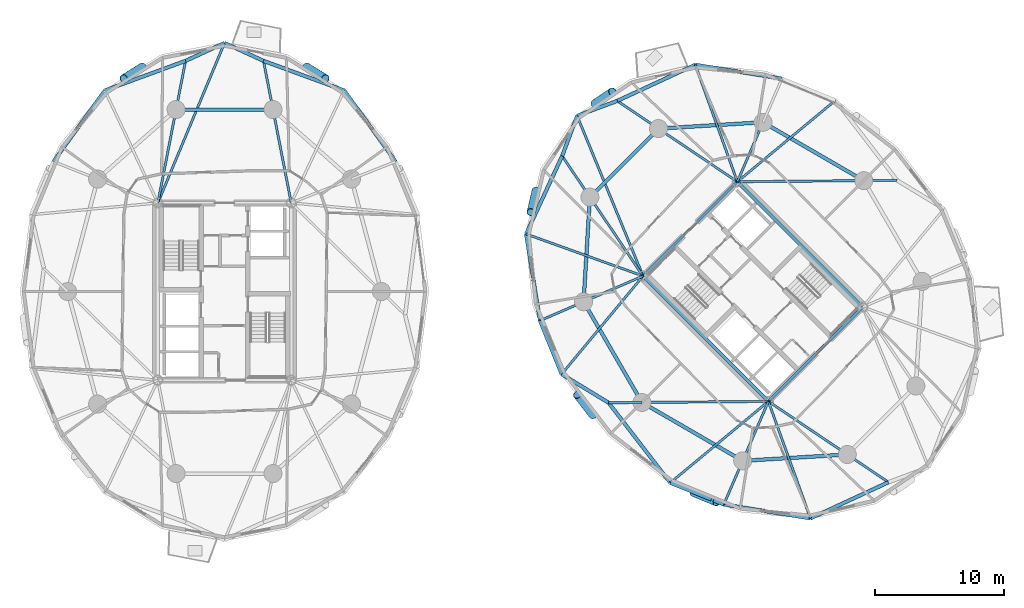
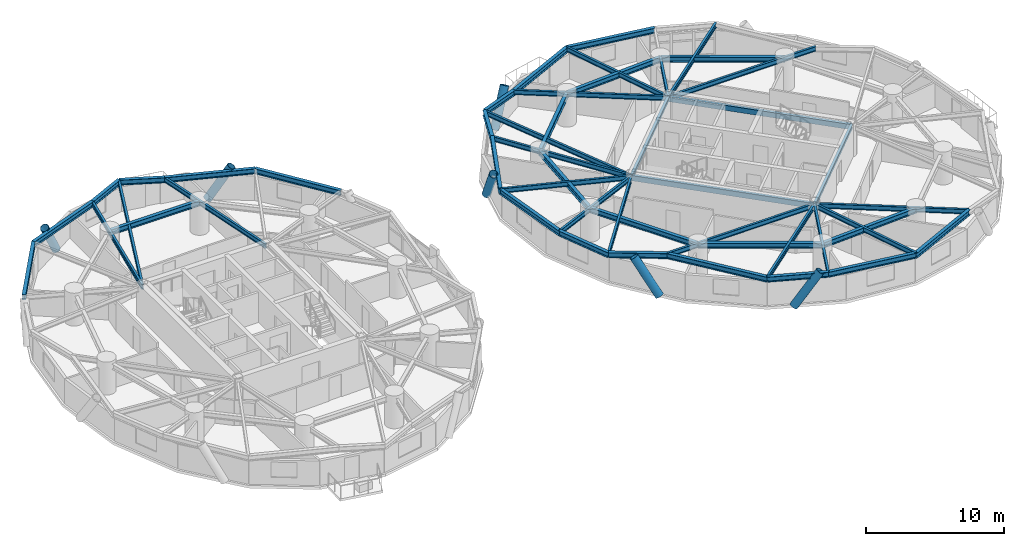
# One storey, part 5 of 17: 49 beams, 6 members.
"""IFC4 building model written with IfcOpenShell, lengths in metres."""

from ifc_helpers import new_model, si_unit, direction, frame, origin, origin_2d, place, context, subcontext, project, spatial, hollow_rectangle, hollow_circle, i_section, extrude, material, material_profile, profile_set, type_object, element, save


model = new_model("IFC4")

# Units and contexts
model_context = context("Model", 3, precision=1e-05, world=origin(), true_north=direction((0.0, 1.0)))
body_context = subcontext(model_context, "Body", "Model", "MODEL_VIEW")
ifc_project = project(units=[si_unit("LENGTHUNIT", "METRE"), si_unit("AREAUNIT", "SQUARE_METRE"), si_unit("VOLUMEUNIT", "CUBIC_METRE"), si_unit("PLANEANGLEUNIT", "RADIAN"), si_unit("MASSUNIT", "GRAM", prefix="KILO")], contexts=[model_context])

# Site, building, storey
site_placement = place(None, origin())
site = spatial("IfcSite", under=ifc_project, at=site_placement, CompositionType="ELEMENT")
building_placement = place(site_placement, origin())
building = spatial("IfcBuilding", under=site, at=building_placement, Name="Cununo Teusaquillo Station Towers", CompositionType="ELEMENT")
storey_placement = place(building_placement, frame((0.0, 0.0, 78.8798828125)))
storey = spatial("IfcBuildingStorey", under=building, at=storey_placement, Name="L24", CompositionType="ELEMENT", Elevation=78.8798828125)

# Beams
ifc_material_1 = material(Name="Steel EN 10025-2 S355J2", Category="steel")
ifc_material_profile_1 = material_profile(ifc_material_1, hollow_rectangle(XDim=0.25, YDim=0.449951171875, WallThickness=0.01611328125, at=origin_2d()), Name="RHS 450x250x16")
ifc_profile_set_1 = profile_set([ifc_material_profile_1], Name="Steel EN 10025-2 S355J2")
beam_type_1 = type_object("IfcBeamType", Name="BM-COUP-1", PredefinedType="USERDEFINED", material=ifc_profile_set_1)
for number, where, z_axis, x_axis, name in (
    (1, (58.70556640625, 15.975830078125, 2.445068359375), (-0.707106781187, 0.707106781187, 0.0), (-0.707106781187, -0.707106781187, 0.0), "L24 Tower B Core Beam 1"),
    (2, (66.024169921875, 23.29443359375, 2.445068359375), (-0.707106781187, 0.707106781187, 0.0), (-0.707106781187, -0.707106781187, 0.0), "L24 Tower B Core Beam 2"),
):
    element("IfcBeam", number, at=place(storey_placement, frame(where, z_axis=z_axis, x_axis=x_axis)), inside=storey, type_object=beam_type_1, Name=name, ObjectType="COUPLING BEAM", PredefinedType="USERDEFINED", context=body_context, shape_type="SweptSolid", body=[
        extrude(hollow_rectangle(XDim=0.25, YDim=0.449951171875, WallThickness=0.01611328125, at=origin_2d()), origin(), (0.0, 0.0, 1.0), 13.760009765625),
    ])
ifc_material_2 = material(Name="Steel ASTM A572 Grade 50", Category="steel")
ifc_material_profile_2 = material_profile(ifc_material_2, i_section(OverallWidth=0.180908203125, OverallDepth=0.4169921875, WebThickness=0.010986328125, FlangeThickness=0.018310546875, FilletRadius=0.012939453125, at=origin_2d()), Name="W16X57")
ifc_profile_set_2 = profile_set([ifc_material_profile_2], Name="Steel ASTM A572 Grade 50")
beam_type_2 = type_object("IfcBeamType", Name="BM-JOIST-1", PredefinedType="JOIST", material=ifc_profile_set_2)
beam_1_placement = place(storey_placement, frame((11.324951171875, 31.3798828125, 2.461669921875), z_axis=(0.38487837995, 0.922967297713, 0.0), x_axis=(-0.922967297713, 0.38487837995, 0.0)))
element("IfcBeam", 3, at=beam_1_placement, inside=storey, type_object=beam_type_2, Name="L24 Tower A Radial Spandrel Joist V05", PredefinedType="JOIST", context=body_context, shape_type="SweptSolid", body=[
    extrude(i_section(OverallWidth=0.180908203125, OverallDepth=0.4169921875, WebThickness=0.010986328125, FlangeThickness=0.018310546875, FilletRadius=0.012939453125, at=origin_2d()), origin(), (0.0, 0.0, 1.0), 13.446044921875),
])
beam_2_placement = place(storey_placement, frame((56.29443359375, 33.024169921875, 2.461669921875), z_axis=(0.769727799615, 0.638372238196, 0.0), x_axis=(-0.638372238196, 0.769727799615, 0.0)))
element("IfcBeam", 4, at=beam_2_placement, inside=storey, type_object=beam_type_2, Name="L24 Tower B Radial Spandrel Joist V01", PredefinedType="JOIST", context=body_context, shape_type="SweptSolid", body=[
    extrude(i_section(OverallWidth=0.180908203125, OverallDepth=0.4169921875, WebThickness=0.010986328125, FlangeThickness=0.018310546875, FilletRadius=0.012939453125, at=origin_2d()), origin(), (0.0, 0.0, 1.0), 9.895263671875),
])
beam_3_placement = place(storey_placement, frame((56.29443359375, 33.024169921875, 2.461669921875), z_axis=(-0.338176312038, 0.941082771055, 0.0), x_axis=(-0.941082771055, -0.338176312038, 0.0)))
element("IfcBeam", 5, at=beam_3_placement, inside=storey, type_object=beam_type_2, Name="L24 Tower B Radial Spandrel Joist V03", PredefinedType="JOIST", context=body_context, shape_type="SweptSolid", body=[
    extrude(i_section(OverallWidth=0.180908203125, OverallDepth=0.4169921875, WebThickness=0.010986328125, FlangeThickness=0.018310546875, FilletRadius=0.012939453125, at=origin_2d()), origin(), (0.0, 0.0, 1.0), 9.646484375),
])
beam_4_placement = place(storey_placement, frame((48.975830078125, 25.70556640625, 2.461669921875), z_axis=(-0.380485864505, 0.924786735908, 0.0), x_axis=(-0.924786735908, -0.380485864505, 0.0)))
element("IfcBeam", 6, at=beam_4_placement, inside=storey, type_object=beam_type_2, Name="L24 Tower B Radial Spandrel Joist V05", PredefinedType="JOIST", context=body_context, shape_type="SweptSolid", body=[
    extrude(i_section(OverallWidth=0.180908203125, OverallDepth=0.4169921875, WebThickness=0.010986328125, FlangeThickness=0.018310546875, FilletRadius=0.012939453125, at=origin_2d()), origin(), (0.0, 0.0, 1.0), 13.44580078125),
])
beam_5_placement = place(storey_placement, frame((48.975830078125, 25.70556640625, 2.461669921875), z_axis=(-0.941082771055, 0.338176312038, 0.0), x_axis=(-0.338176312038, -0.941082771055, 0.0)))
element("IfcBeam", 7, at=beam_5_placement, inside=storey, type_object=beam_type_2, Name="L24 Tower B Radial Spandrel Joist V07", PredefinedType="JOIST", context=body_context, shape_type="SweptSolid", body=[
    extrude(i_section(OverallWidth=0.180908203125, OverallDepth=0.4169921875, WebThickness=0.010986328125, FlangeThickness=0.018310546875, FilletRadius=0.012939453125, at=origin_2d()), origin(), (0.0, 0.0, 1.0), 9.646484375),
])
for number, where, z_axis, x_axis, name in (
    (8, (48.975830078125, 25.70556640625, 2.461669921875), (-0.638372238196, -0.769727799615, 0.0), (0.769727799615, -0.638372238196, 0.0), "L24 Tower B Radial Spandrel Joist V09"),
    (9, (58.70556640625, 15.975830078125, 2.461669921875), (-0.769727799615, -0.638372238196, 0.0), (0.638372238196, -0.769727799615, 0.0), "L24 Tower B Radial Spandrel Joist V11"),
):
    element("IfcBeam", number, at=place(storey_placement, frame(where, z_axis=z_axis, x_axis=x_axis)), inside=storey, type_object=beam_type_2, Name=name, PredefinedType="JOIST", context=body_context, shape_type="SweptSolid", body=[
        extrude(i_section(OverallWidth=0.180908203125, OverallDepth=0.4169921875, WebThickness=0.010986328125, FlangeThickness=0.018310546875, FilletRadius=0.012939453125, at=origin_2d()), origin(), (0.0, 0.0, 1.0), 9.895263671875),
    ])
beam_6_placement = place(storey_placement, frame((58.70556640625, 15.975830078125, 2.461669921875), z_axis=(0.338176312038, -0.941082771055, 0.0), x_axis=(0.941082771055, 0.338176312038, 0.0)))
element("IfcBeam", 10, at=beam_6_placement, inside=storey, type_object=beam_type_2, Name="L24 Tower B Radial Spandrel Joist V13", PredefinedType="JOIST", context=body_context, shape_type="SweptSolid", body=[
    extrude(i_section(OverallWidth=0.180908203125, OverallDepth=0.4169921875, WebThickness=0.010986328125, FlangeThickness=0.018310546875, FilletRadius=0.012939453125, at=origin_2d()), origin(), (0.0, 0.0, 1.0), 9.646484375),
])
ifc_material_3 = material(Name="Steel ASTM A572 Grade 50", Category="steel")
ifc_material_profile_3 = material_profile(ifc_material_3, i_section(OverallWidth=0.2041015625, OverallDepth=0.35009765625, WebThickness=0.008544921875, FlangeThickness=0.01513671875, FilletRadius=0.011962890625, at=origin_2d()), Name="W14X48")
ifc_profile_set_3 = profile_set([ifc_material_profile_3], Name="Steel ASTM A572 Grade 50")
beam_type_3 = type_object("IfcBeamType", Name="BM-LINTEL-1", PredefinedType="LINTEL", material=ifc_profile_set_3)
for number, where, z_axis, x_axis, name in (
    (11, (58.70556640625, 15.975830078125, 2.4951171875), (0.707106781187, 0.707106781187, 0.0), (-0.707106781187, 0.707106781187, 0.0), "L24 Tower B Core Beam 3"),
    (12, (48.975830078125, 25.70556640625, 2.4951171875), (0.707106781187, 0.707106781187, 0.0), (-0.707106781187, 0.707106781187, 0.0), "L24 Tower B Core Beam 4"),
):
    element("IfcBeam", number, at=place(storey_placement, frame(where, z_axis=z_axis, x_axis=x_axis)), inside=storey, type_object=beam_type_3, Name=name, PredefinedType="LINTEL", context=body_context, shape_type="SweptSolid", body=[
        extrude(i_section(OverallWidth=0.2041015625, OverallDepth=0.35009765625, WebThickness=0.008544921875, FlangeThickness=0.01513671875, FilletRadius=0.011962890625, at=origin_2d()), origin(), (0.0, 0.0, 1.0), 10.35009765625),
    ])
ifc_material_4 = material(Name="Steel ASTM A572 Grade 50", Category="steel")
ifc_material_profile_4 = material_profile(ifc_material_4, i_section(OverallWidth=0.180908203125, OverallDepth=0.4169921875, WebThickness=0.010986328125, FlangeThickness=0.018310546875, FilletRadius=0.012939453125, at=origin_2d()), Name="W16X57")
ifc_profile_set_4 = profile_set([ifc_material_profile_4], Name="Steel ASTM A572 Grade 50")
beam_type_4 = type_object("IfcBeamType", Name="BM-RAD-G2", PredefinedType="BEAM", material=ifc_profile_set_4)
for number, where, z_axis, x_axis, name in (
    (13, (21.675048828125, 31.3798828125, 2.461669921875), (-0.191552755713, 0.981482318628, 0.0), (-0.981482318628, -0.191552755713, 0.0), "L24 Tower A Continuous Overhanging Radial Girder 03"),
    (14, (11.324951171875, 31.3798828125, 2.461669921875), (0.191552755713, 0.981482318628, 0.0), (-0.981482318628, 0.191552755713, 0.0), "L24 Tower A Continuous Overhanging Radial Girder 04"),
):
    element("IfcBeam", number, at=place(storey_placement, frame(where, z_axis=z_axis, x_axis=x_axis)), inside=storey, type_object=beam_type_4, Name=name, PredefinedType="BEAM", context=body_context, shape_type="SweptSolid", body=[
        extrude(i_section(OverallWidth=0.180908203125, OverallDepth=0.4169921875, WebThickness=0.010986328125, FlangeThickness=0.018310546875, FilletRadius=0.012939453125, at=origin_2d()), origin(), (0.0, 0.0, 1.0), 11.22998046875),
    ])
beam_7_placement = place(storey_placement, frame((56.29443359375, 33.024169921875, 2.461669921875), z_axis=(0.999964331255, 0.008446077024, 0.0), x_axis=(-0.008446077024, 0.999964331255, 0.0)))
element("IfcBeam", 15, at=beam_7_placement, inside=storey, type_object=beam_type_4, Name="L24 Tower B Continuous Overhanging Radial Girder 01", PredefinedType="BEAM", context=body_context, shape_type="SweptSolid", body=[
    extrude(i_section(OverallWidth=0.180908203125, OverallDepth=0.4169921875, WebThickness=0.010986328125, FlangeThickness=0.018310546875, FilletRadius=0.012939453125, at=origin_2d()), origin(), (0.0, 0.0, 1.0), 12.400634765625),
])
beam_8_placement = place(storey_placement, frame((56.29443359375, 33.024169921875, 2.461669921875), z_axis=(0.397346986387, 0.917668443616, 0.0), x_axis=(-0.917668443616, 0.397346986387, 0.0)))
element("IfcBeam", 16, at=beam_8_placement, inside=storey, type_object=beam_type_4, Name="L24 Tower B Radial Girder 02A", PredefinedType="BEAM", context=body_context, shape_type="SweptSolid", body=[
    extrude(i_section(OverallWidth=0.180908203125, OverallDepth=0.4169921875, WebThickness=0.010986328125, FlangeThickness=0.018310546875, FilletRadius=0.012939453125, at=origin_2d()), origin(), (0.0, 0.0, 1.0), 5.02490234375),
])
for number, where, z_axis, x_axis, name in (
    (17, (56.29443359375, 33.024169921875, 2.461669921875), (-0.82945583878, 0.558572297481, 0.0), (-0.558572297481, -0.82945583878, 0.0), "L24 Tower B Continuous Overhanging Radial Girder 03"),
    (18, (48.975830078125, 25.70556640625, 2.461669921875), (-0.558572297481, 0.82945583878, 0.0), (-0.82945583878, -0.558572297481, 0.0), "L24 Tower B Continuous Overhanging Radial Girder 04"),
):
    element("IfcBeam", number, at=place(storey_placement, frame(where, z_axis=z_axis, x_axis=x_axis)), inside=storey, type_object=beam_type_4, Name=name, PredefinedType="BEAM", context=body_context, shape_type="SweptSolid", body=[
        extrude(i_section(OverallWidth=0.180908203125, OverallDepth=0.4169921875, WebThickness=0.010986328125, FlangeThickness=0.018310546875, FilletRadius=0.012939453125, at=origin_2d()), origin(), (0.0, 0.0, 1.0), 11.22998046875),
    ])
beam_9_placement = place(storey_placement, frame((48.975830078125, 25.70556640625, 2.461669921875), z_axis=(-0.917654733344, -0.397378648609, 0.0), x_axis=(0.397378648609, -0.917654733344, 0.0)))
element("IfcBeam", 19, at=beam_9_placement, inside=storey, type_object=beam_type_4, Name="L24 Tower B Continuous Overhanging Radial Girder 05", PredefinedType="BEAM", context=body_context, shape_type="SweptSolid", body=[
    extrude(i_section(OverallWidth=0.180908203125, OverallDepth=0.4169921875, WebThickness=0.010986328125, FlangeThickness=0.018310546875, FilletRadius=0.012939453125, at=origin_2d()), origin(), (0.0, 0.0, 1.0), 8.71484375),
])
beam_10_placement = place(storey_placement, frame((58.70556640625, 15.975830078125, 2.461669921875), z_axis=(-0.999964431382, -0.008434214327, 0.0), x_axis=(0.008434214327, -0.999964431382, 0.0)))
element("IfcBeam", 20, at=beam_10_placement, inside=storey, type_object=beam_type_4, Name="L24 Tower B Radial Girder 06A", PredefinedType="BEAM", context=body_context, shape_type="SweptSolid", body=[
    extrude(i_section(OverallWidth=0.180908203125, OverallDepth=0.4169921875, WebThickness=0.010986328125, FlangeThickness=0.018310546875, FilletRadius=0.012939453125, at=origin_2d()), origin(), (0.0, 0.0, 1.0), 9.812744140625),
])
beam_11_placement = place(storey_placement, frame((48.89306640625, 15.89306640625, 2.461669921875), z_axis=(-0.999963950292, -0.008491060999, 0.0), x_axis=(0.008491060999, -0.999963950292, 0.0)))
element("IfcBeam", 21, at=beam_11_placement, inside=storey, type_object=beam_type_4, Name="L24 Tower B Perimeter Overhang Girder 06B", PredefinedType="BEAM", context=body_context, shape_type="SweptSolid", body=[
    extrude(i_section(OverallWidth=0.180908203125, OverallDepth=0.4169921875, WebThickness=0.010986328125, FlangeThickness=0.018310546875, FilletRadius=0.012939453125, at=origin_2d()), origin(), (0.0, 0.0, 1.0), 2.587646484375),
])
beam_12_placement = place(storey_placement, frame((58.70556640625, 15.975830078125, 2.461669921875), z_axis=(-0.397378648609, -0.917654733344, 0.0), x_axis=(0.917654733344, -0.397378648609, 0.0)))
element("IfcBeam", 22, at=beam_12_placement, inside=storey, type_object=beam_type_4, Name="L24 Tower B Continuous Overhanging Radial Girder 07", PredefinedType="BEAM", context=body_context, shape_type="SweptSolid", body=[
    extrude(i_section(OverallWidth=0.180908203125, OverallDepth=0.4169921875, WebThickness=0.010986328125, FlangeThickness=0.018310546875, FilletRadius=0.012939453125, at=origin_2d()), origin(), (0.0, 0.0, 1.0), 8.71484375),
])
beam_13_placement = place(storey_placement, frame((58.70556640625, 15.975830078125, 2.461669921875), z_axis=(0.82945583878, -0.558572297481, 0.0), x_axis=(0.558572297481, 0.82945583878, 0.0)))
element("IfcBeam", 23, at=beam_13_placement, inside=storey, type_object=beam_type_4, Name="L24 Tower B Continuous Overhanging Radial Girder 08", PredefinedType="BEAM", context=body_context, shape_type="SweptSolid", body=[
    extrude(i_section(OverallWidth=0.180908203125, OverallDepth=0.4169921875, WebThickness=0.010986328125, FlangeThickness=0.018310546875, FilletRadius=0.012939453125, at=origin_2d()), origin(), (0.0, 0.0, 1.0), 11.22998046875),
])
ifc_material_5 = material(Name="Steel ASTM A572 Grade 50", Category="steel")
ifc_material_profile_5 = material_profile(ifc_material_5, i_section(OverallWidth=0.280029296875, OverallDepth=0.462890625, WebThickness=0.0107421875, FlangeThickness=0.017333984375, FilletRadius=0.013916015625, at=origin_2d()), Name="W18X76")
ifc_profile_set_5 = profile_set([ifc_material_profile_5], Name="Steel ASTM A572 Grade 50")
beam_type_5 = type_object("IfcBeamType", Name="BM-RING-Z2", PredefinedType="SPANDREL", material=ifc_profile_set_5)
beam_14_placement = place(storey_placement, frame((20.261474609375, 38.623291015625, 2.438720703125), z_axis=(-1.0, 0.0, 0.0), x_axis=(0.0, -1.0, 0.0)))
element("IfcBeam", 24, at=beam_14_placement, inside=storey, type_object=beam_type_5, Name="L24 Tower A Structural Column Ring Girder 03", PredefinedType="SPANDREL", context=body_context, shape_type="SweptSolid", body=[
    extrude(i_section(OverallWidth=0.280029296875, OverallDepth=0.462890625, WebThickness=0.0107421875, FlangeThickness=0.017333984375, FilletRadius=0.013916015625, at=origin_2d()), origin(), (0.0, 0.0, 1.0), 7.52294921875),
])
beam_15_placement = place(storey_placement, frame((29.77880859375, 34.586181640625, 2.438720703125), z_axis=(-0.58594455724, 0.810351143543, 0.0), x_axis=(-0.810351143543, -0.58594455724, 0.0)))
element("IfcBeam", 25, at=beam_15_placement, inside=storey, type_object=beam_type_5, Name="L24 Tower A Spandrel Ring Beam 03", PredefinedType="SPANDREL", context=body_context, shape_type="SweptSolid", body=[
    extrude(i_section(OverallWidth=0.280029296875, OverallDepth=0.462890625, WebThickness=0.0107421875, FlangeThickness=0.017333984375, FilletRadius=0.013916015625, at=origin_2d()), origin(), (0.0, 0.0, 1.0), 6.8115234375),
])
beam_16_placement = place(storey_placement, frame((25.78759765625, 40.10595703125, 2.438720703125), z_axis=(-0.938914161016, 0.34415141761, 0.0), x_axis=(-0.34415141761, -0.938914161016, 0.0)))
element("IfcBeam", 26, at=beam_16_placement, inside=storey, type_object=beam_type_5, Name="L24 Tower A Spandrel Ring Beam 04", PredefinedType="SPANDREL", context=body_context, shape_type="SweptSolid", body=[
    extrude(i_section(OverallWidth=0.280029296875, OverallDepth=0.462890625, WebThickness=0.0107421875, FlangeThickness=0.017333984375, FilletRadius=0.013916015625, at=origin_2d()), origin(), (0.0, 0.0, 1.0), 6.671142578125),
])
for number, where, z_axis, x_axis, name in (
    (27, (19.52392578125, 42.40185546875, 2.438720703125), (-0.908812215281, 0.417205413862, 0.0), (-0.417205413862, -0.908812215281, 0.0), "L24 Tower A Spandrel Ring Beam 05"),
    (28, (16.5, 43.7900390625, 2.438720703125), (-0.908812215281, -0.417205413862, 0.0), (0.417205413862, -0.908812215281, 0.0), "L24 Tower A Spandrel Ring Beam 06"),
):
    element("IfcBeam", number, at=place(storey_placement, frame(where, z_axis=z_axis, x_axis=x_axis)), inside=storey, type_object=beam_type_5, Name=name, PredefinedType="SPANDREL", context=body_context, shape_type="SweptSolid", body=[
        extrude(i_section(OverallWidth=0.280029296875, OverallDepth=0.462890625, WebThickness=0.0107421875, FlangeThickness=0.017333984375, FilletRadius=0.013916015625, at=origin_2d()), origin(), (0.0, 0.0, 1.0), 3.327392578125),
    ])
beam_17_placement = place(storey_placement, frame((13.47607421875, 42.40185546875, 2.438720703125), z_axis=(-0.938914161016, -0.34415141761, 0.0), x_axis=(0.34415141761, -0.938914161016, 0.0)))
element("IfcBeam", 29, at=beam_17_placement, inside=storey, type_object=beam_type_5, Name="L24 Tower A Spandrel Ring Beam 07", PredefinedType="SPANDREL", context=body_context, shape_type="SweptSolid", body=[
    extrude(i_section(OverallWidth=0.280029296875, OverallDepth=0.462890625, WebThickness=0.0107421875, FlangeThickness=0.017333984375, FilletRadius=0.013916015625, at=origin_2d()), origin(), (0.0, 0.0, 1.0), 6.671142578125),
])
beam_18_placement = place(storey_placement, frame((7.21240234375, 40.10595703125, 2.438720703125), z_axis=(-0.58594455724, -0.810351143543, 0.0), x_axis=(0.810351143543, -0.58594455724, 0.0)))
element("IfcBeam", 30, at=beam_18_placement, inside=storey, type_object=beam_type_5, Name="L24 Tower A Spandrel Ring Beam 08", PredefinedType="SPANDREL", context=body_context, shape_type="SweptSolid", body=[
    extrude(i_section(OverallWidth=0.280029296875, OverallDepth=0.462890625, WebThickness=0.0107421875, FlangeThickness=0.017333984375, FilletRadius=0.013916015625, at=origin_2d()), origin(), (0.0, 0.0, 1.0), 6.8115234375),
])
beam_19_placement = place(storey_placement, frame((66.10693359375, 33.10693359375, 2.438720703125), z_axis=(-0.865267103202, 0.501311121078, 0.0), x_axis=(-0.501311121078, -0.865267103202, 0.0)))
element("IfcBeam", 31, at=beam_19_placement, inside=storey, type_object=beam_type_5, Name="L24 Tower B Structural Column Ring Girder 01", PredefinedType="SPANDREL", context=body_context, shape_type="SweptSolid", body=[
    extrude(i_section(OverallWidth=0.280029296875, OverallDepth=0.462890625, WebThickness=0.0107421875, FlangeThickness=0.017333984375, FilletRadius=0.013916015625, at=origin_2d()), origin(), (0.0, 0.0, 1.0), 9.032958984375),
])
beam_20_placement = place(storey_placement, frame((58.291015625, 37.63525390625, 2.438720703125), z_axis=(-0.998190567048, -0.06012979176, 0.0), x_axis=(0.06012979176, -0.998190567048, 0.0)))
element("IfcBeam", 32, at=beam_20_placement, inside=storey, type_object=beam_type_5, Name="L24 Tower B Structural Column Ring Girder 02", PredefinedType="SPANDREL", context=body_context, shape_type="SweptSolid", body=[
    extrude(i_section(OverallWidth=0.280029296875, OverallDepth=0.462890625, WebThickness=0.0107421875, FlangeThickness=0.017333984375, FilletRadius=0.013916015625, at=origin_2d()), origin(), (0.0, 0.0, 1.0), 8.132568359375),
])
beam_21_placement = place(storey_placement, frame((50.173095703125, 37.146240234375, 2.438720703125), z_axis=(-0.707106781187, -0.707106781187, 0.0), x_axis=(0.707106781187, -0.707106781187, 0.0)))
element("IfcBeam", 33, at=beam_21_placement, inside=storey, type_object=beam_type_5, Name="L24 Tower B Structural Column Ring Girder 03", PredefinedType="SPANDREL", context=body_context, shape_type="SweptSolid", body=[
    extrude(i_section(OverallWidth=0.280029296875, OverallDepth=0.462890625, WebThickness=0.0107421875, FlangeThickness=0.017333984375, FilletRadius=0.013916015625, at=origin_2d()), origin(), (0.0, 0.0, 1.0), 7.522705078125),
])
beam_22_placement = place(storey_placement, frame((44.853759765625, 31.826904296875, 2.438720703125), z_axis=(-0.06012979176, -0.998190567048, 0.0), x_axis=(0.998190567048, -0.06012979176, 0.0)))
element("IfcBeam", 34, at=beam_22_placement, inside=storey, type_object=beam_type_5, Name="L24 Tower B Structural Column Ring Girder 04", PredefinedType="SPANDREL", context=body_context, shape_type="SweptSolid", body=[
    extrude(i_section(OverallWidth=0.280029296875, OverallDepth=0.462890625, WebThickness=0.0107421875, FlangeThickness=0.017333984375, FilletRadius=0.013916015625, at=origin_2d()), origin(), (0.0, 0.0, 1.0), 8.132568359375),
])
for number, where, z_axis, x_axis, name in (
    (35, (44.36474609375, 23.708984375, 2.438720703125), (0.501311121078, -0.865267103202, 0.0), (0.865267103202, 0.501311121078, 0.0), "L24 Tower B Structural Column Ring Girder 05"),
    (36, (48.89306640625, 15.89306640625, 2.438720703125), (0.865267103202, -0.501311121078, 0.0), (0.501311121078, 0.865267103202, 0.0), "L24 Tower B Structural Column Ring Girder 06"),
):
    element("IfcBeam", number, at=place(storey_placement, frame(where, z_axis=z_axis, x_axis=x_axis)), inside=storey, type_object=beam_type_5, Name=name, PredefinedType="SPANDREL", context=body_context, shape_type="SweptSolid", body=[
        extrude(i_section(OverallWidth=0.280029296875, OverallDepth=0.462890625, WebThickness=0.0107421875, FlangeThickness=0.017333984375, FilletRadius=0.013916015625, at=origin_2d()), origin(), (0.0, 0.0, 1.0), 9.032958984375),
    ])
beam_23_placement = place(storey_placement, frame((56.708984375, 11.36474609375, 2.438720703125), z_axis=(0.998190567048, 0.06012979176, 0.0), x_axis=(-0.06012979176, 0.998190567048, 0.0)))
element("IfcBeam", 37, at=beam_23_placement, inside=storey, type_object=beam_type_5, Name="L24 Tower B Structural Column Ring Girder 07", PredefinedType="SPANDREL", context=body_context, shape_type="SweptSolid", body=[
    extrude(i_section(OverallWidth=0.280029296875, OverallDepth=0.462890625, WebThickness=0.0107421875, FlangeThickness=0.017333984375, FilletRadius=0.013916015625, at=origin_2d()), origin(), (0.0, 0.0, 1.0), 8.132568359375),
])
beam_24_placement = place(storey_placement, frame((59.757568359375, 41.021484375, 2.438720703125), z_axis=(-0.987331474246, 0.158671232312, 0.0), x_axis=(-0.158671232312, -0.987331474246, 0.0)))
element("IfcBeam", 38, at=beam_24_placement, inside=storey, type_object=beam_type_5, Name="L24 Tower B Spandrel Ring Beam 03", PredefinedType="SPANDREL", context=body_context, shape_type="SweptSolid", body=[
    extrude(i_section(OverallWidth=0.280029296875, OverallDepth=0.462890625, WebThickness=0.0107421875, FlangeThickness=0.017333984375, FilletRadius=0.013916015625, at=origin_2d()), origin(), (0.0, 0.0, 1.0), 6.8115234375),
])
beam_25_placement = place(storey_placement, frame((53.0322265625, 42.102294921875, 2.438720703125), z_axis=(-0.907275870354, -0.420535961689, 0.0), x_axis=(0.420535961689, -0.907275870354, 0.0)))
element("IfcBeam", 39, at=beam_25_placement, inside=storey, type_object=beam_type_5, Name="L24 Tower B Spandrel Ring Beam 04", PredefinedType="SPANDREL", context=body_context, shape_type="SweptSolid", body=[
    extrude(i_section(OverallWidth=0.280029296875, OverallDepth=0.462890625, WebThickness=0.0107421875, FlangeThickness=0.017333984375, FilletRadius=0.013916015625, at=origin_2d()), origin(), (0.0, 0.0, 1.0), 6.671142578125),
])
for number, where, z_axis, x_axis, name in (
    (40, (46.979736328125, 39.296875, 2.438720703125), (-0.937628334414, -0.347639333943, 0.0), (0.347639333943, -0.937628334414, 0.0), "L24 Tower B Spandrel Ring Beam 05"),
    (41, (43.85986328125, 38.14013671875, 2.438720703125), (-0.347639333943, -0.937628334414, 0.0), (0.937628334414, -0.347639333943, 0.0), "L24 Tower B Spandrel Ring Beam 06"),
):
    element("IfcBeam", number, at=place(storey_placement, frame(where, z_axis=z_axis, x_axis=x_axis)), inside=storey, type_object=beam_type_5, Name=name, PredefinedType="SPANDREL", context=body_context, shape_type="SweptSolid", body=[
        extrude(i_section(OverallWidth=0.280029296875, OverallDepth=0.462890625, WebThickness=0.0107421875, FlangeThickness=0.017333984375, FilletRadius=0.013916015625, at=origin_2d()), origin(), (0.0, 0.0, 1.0), 3.327392578125),
    ])
beam_26_placement = place(storey_placement, frame((42.703125, 35.020263671875, 2.438720703125), z_axis=(-0.420535961689, -0.907275870354, 0.0), x_axis=(0.907275870354, -0.420535961689, 0.0)))
element("IfcBeam", 42, at=beam_26_placement, inside=storey, type_object=beam_type_5, Name="L24 Tower B Spandrel Ring Beam 07", PredefinedType="SPANDREL", context=body_context, shape_type="SweptSolid", body=[
    extrude(i_section(OverallWidth=0.280029296875, OverallDepth=0.462890625, WebThickness=0.0107421875, FlangeThickness=0.017333984375, FilletRadius=0.013916015625, at=origin_2d()), origin(), (0.0, 0.0, 1.0), 6.671142578125),
])
beam_27_placement = place(storey_placement, frame((39.897705078125, 28.9677734375, 2.438720703125), z_axis=(0.158671232312, -0.987331474246, 0.0), x_axis=(0.987331474246, 0.158671232312, 0.0)))
element("IfcBeam", 43, at=beam_27_placement, inside=storey, type_object=beam_type_5, Name="L24 Tower B Spandrel Ring Beam 08", PredefinedType="SPANDREL", context=body_context, shape_type="SweptSolid", body=[
    extrude(i_section(OverallWidth=0.280029296875, OverallDepth=0.462890625, WebThickness=0.0107421875, FlangeThickness=0.017333984375, FilletRadius=0.013916015625, at=origin_2d()), origin(), (0.0, 0.0, 1.0), 6.8115234375),
])
beam_28_placement = place(storey_placement, frame((40.978515625, 22.242431640625, 2.438720703125), z_axis=(0.375042266631, -0.927007712072, 0.0), x_axis=(0.927007712072, 0.375042266631, 0.0)))
element("IfcBeam", 44, at=beam_28_placement, inside=storey, type_object=beam_type_5, Name="L24 Tower B Spandrel Ring Beam 09", PredefinedType="SPANDREL", context=body_context, shape_type="SweptSolid", body=[
    extrude(i_section(OverallWidth=0.280029296875, OverallDepth=0.462890625, WebThickness=0.0107421875, FlangeThickness=0.017333984375, FilletRadius=0.013916015625, at=origin_2d()), origin(), (0.0, 0.0, 1.0), 4.480712890625),
])
beam_29_placement = place(storey_placement, frame((42.658935546875, 18.0888671875, 2.438720703125), z_axis=(0.854388492444, -0.519634779416, 0.0), x_axis=(0.519634779416, 0.854388492444, 0.0)))
element("IfcBeam", 45, at=beam_29_placement, inside=storey, type_object=beam_type_5, Name="L24 Tower B Spandrel Ring Beam 10", PredefinedType="SPANDREL", context=body_context, shape_type="SweptSolid", body=[
    extrude(i_section(OverallWidth=0.280029296875, OverallDepth=0.462890625, WebThickness=0.0107421875, FlangeThickness=0.017333984375, FilletRadius=0.013916015625, at=origin_2d()), origin(), (0.0, 0.0, 1.0), 4.26806640625),
])
beam_30_placement = place(storey_placement, frame((46.305419921875, 15.87109375, 2.438720703125), z_axis=(0.610100441726, -0.792324082056, 0.0), x_axis=(0.792324082056, 0.610100441726, 0.0)))
element("IfcBeam", 46, at=beam_30_placement, inside=storey, type_object=beam_type_5, Name="L24 Tower B Spandrel Ring Beam 11", PredefinedType="SPANDREL", context=body_context, shape_type="SweptSolid", body=[
    extrude(i_section(OverallWidth=0.280029296875, OverallDepth=0.462890625, WebThickness=0.0107421875, FlangeThickness=0.017333984375, FilletRadius=0.013916015625, at=origin_2d()), origin(), (0.0, 0.0, 1.0), 7.84033203125),
])
beam_31_placement = place(storey_placement, frame((51.0888671875, 9.658935546875, 2.438720703125), z_axis=(0.927007712072, -0.375042266631, 0.0), x_axis=(0.375042266631, 0.927007712072, 0.0)))
element("IfcBeam", 47, at=beam_31_placement, inside=storey, type_object=beam_type_5, Name="L24 Tower B Spandrel Ring Beam 12", PredefinedType="SPANDREL", context=body_context, shape_type="SweptSolid", body=[
    extrude(i_section(OverallWidth=0.280029296875, OverallDepth=0.462890625, WebThickness=0.0107421875, FlangeThickness=0.017333984375, FilletRadius=0.013916015625, at=origin_2d()), origin(), (0.0, 0.0, 1.0), 4.480712890625),
])
beam_32_placement = place(storey_placement, frame((55.242431640625, 7.978515625, 2.438720703125), z_axis=(0.987331474246, -0.158671232312, 0.0), x_axis=(0.158671232312, 0.987331474246, 0.0)))
element("IfcBeam", 48, at=beam_32_placement, inside=storey, type_object=beam_type_5, Name="L24 Tower B Spandrel Ring Beam 13", PredefinedType="SPANDREL", context=body_context, shape_type="SweptSolid", body=[
    extrude(i_section(OverallWidth=0.280029296875, OverallDepth=0.462890625, WebThickness=0.0107421875, FlangeThickness=0.017333984375, FilletRadius=0.013916015625, at=origin_2d()), origin(), (0.0, 0.0, 1.0), 6.8115234375),
])
beam_33_placement = place(storey_placement, frame((61.9677734375, 6.897705078125, 2.438720703125), z_axis=(0.907275870354, 0.420535961689, 0.0), x_axis=(-0.420535961689, 0.907275870354, 0.0)))
element("IfcBeam", 49, at=beam_33_placement, inside=storey, type_object=beam_type_5, Name="L24 Tower B Spandrel Ring Beam 14", PredefinedType="SPANDREL", context=body_context, shape_type="SweptSolid", body=[
    extrude(i_section(OverallWidth=0.280029296875, OverallDepth=0.462890625, WebThickness=0.0107421875, FlangeThickness=0.017333984375, FilletRadius=0.013916015625, at=origin_2d()), origin(), (0.0, 0.0, 1.0), 6.671142578125),
])

# Members
ifc_material_6 = material(Name="Steel EN 10025-2 S355J2", Category="steel")
ifc_material_profile_6 = material_profile(ifc_material_6, hollow_circle(Radius=0.330078125, WallThickness=0.02490234375, at=origin_2d()), Name="CHS 660x25")
ifc_profile_set_6 = profile_set([ifc_material_profile_6], Name="Steel EN 10025-2 S355J2")
member_type = type_object("IfcMemberType", Name="MBR-DIAG-Z2", PredefinedType="BRACE", material=ifc_profile_set_6)
for number, where, z_axis, x_axis, name in (
    (50, (22.85107421875, 41.9326171875, -0.139892578125), (0.433768032271, -0.269824776975, 0.859674289432), (0.528195574716, 0.849122744278, 0.0), "L24 Tower A Folded-Zigzag Diagrid Tube C03"),
    (51, (10.14892578125, 41.9326171875, -0.139892578125), (-0.433768032271, -0.269824776975, 0.859674289432), (0.528195574716, -0.849122744278, 0.0), "L24 Tower A Folded-Zigzag Diagrid Tube C06"),
):
    element("IfcMember", number, at=place(storey_placement, frame(where, z_axis=z_axis, x_axis=x_axis)), inside=storey, type_object=member_type, Name=name, PredefinedType="BRACE", context=body_context, shape_type="SweptSolid", body=[
        extrude(hollow_circle(Radius=0.330078125, WallThickness=0.02490234375, at=origin_2d()), origin(), (0.0, 0.0, 1.0), 3.385009765625),
    ])
member_1_placement = place(storey_placement, frame((45.2333984375, 39.068603515625, -0.139892578125), z_axis=(0.410072581881, 0.277172614456, 0.868916462835), x_axis=(-0.559991322854, 0.828498472134, 0.0)))
element("IfcMember", 52, at=member_1_placement, inside=storey, type_object=member_type, Name="L24 Tower B Folded-Zigzag Diagrid Tube C04", PredefinedType="BRACE", context=body_context, shape_type="SweptSolid", body=[
    extrude(hollow_circle(Radius=0.330078125, WallThickness=0.02490234375, at=origin_2d()), origin(), (0.0, 0.0, 1.0), 3.348876953125),
])
member_2_placement = place(storey_placement, frame((40.682373046875, 32.335693359375, -0.139892578125), z_axis=(-0.115906612964, -0.49752571016, 0.859670765352), x_axis=(0.973920299704, -0.226890391653, 0.0)))
element("IfcMember", 53, at=member_2_placement, inside=storey, type_object=member_type, Name="L24 Tower B Folded-Zigzag Diagrid Tube C06", PredefinedType="BRACE", context=body_context, shape_type="SweptSolid", body=[
    extrude(hollow_circle(Radius=0.330078125, WallThickness=0.02490234375, at=origin_2d()), origin(), (0.0, 0.0, 1.0), 3.385009765625),
])
member_3_placement = place(storey_placement, frame((45.104248046875, 14.914306640625, -0.139892578125), z_axis=(-0.34606419194, 0.449302990414, 0.823630012726), x_axis=(-0.792243348803, -0.610205273886, 0.0)))
element("IfcMember", 54, at=member_3_placement, inside=storey, type_object=member_type, Name="L24 Tower B Folded-Zigzag Diagrid Tube C09", PredefinedType="BRACE", context=body_context, shape_type="SweptSolid", body=[
    extrude(hollow_circle(Radius=0.330078125, WallThickness=0.02490234375, at=origin_2d()), origin(), (0.0, 0.0, 1.0), 3.532958984375),
])
member_4_placement = place(storey_placement, frame((52.885498046875, 8.92041015625, -0.139892578125), z_axis=(0.51346268498, -0.211093316399, 0.83174255807), x_axis=(0.380237656053, 0.924888817599, 0.0)))
element("IfcMember", 55, at=member_4_placement, inside=storey, type_object=member_type, Name="L24 Tower B Folded-Zigzag Diagrid Tube C11", PredefinedType="BRACE", context=body_context, shape_type="SweptSolid", body=[
    extrude(hollow_circle(Radius=0.330078125, WallThickness=0.02490234375, at=origin_2d()), origin(), (0.0, 0.0, 1.0), 3.49853515625),
])

save(model, "model.ifc")
